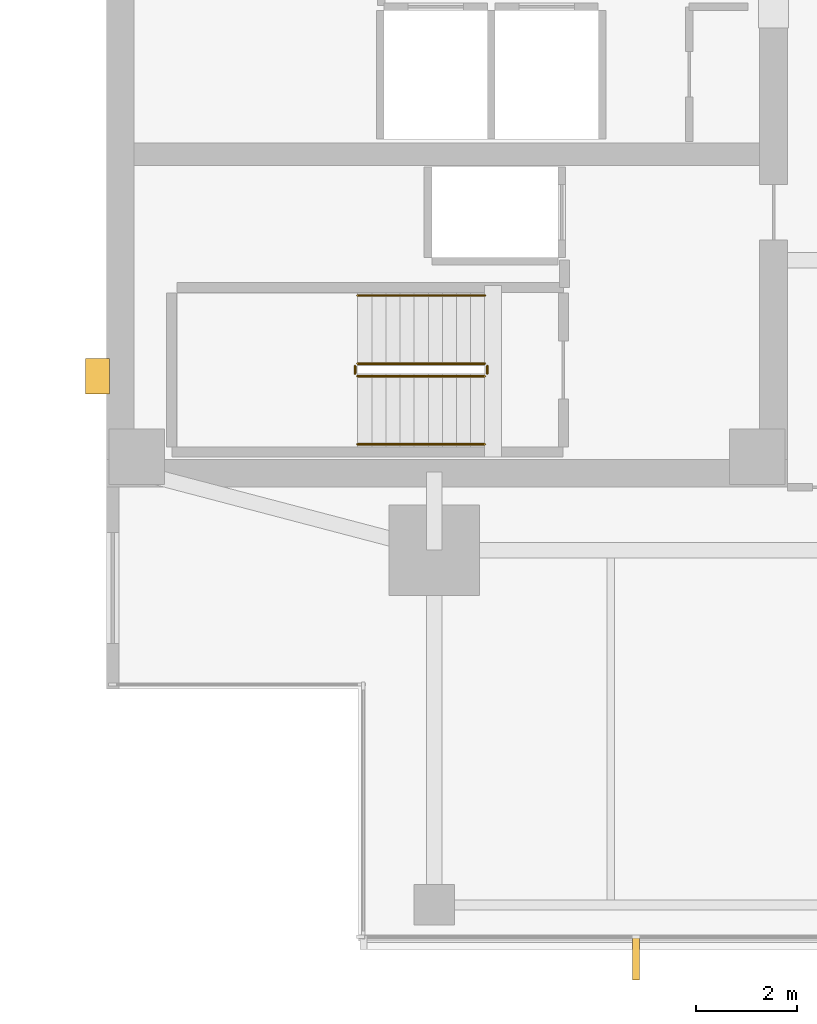
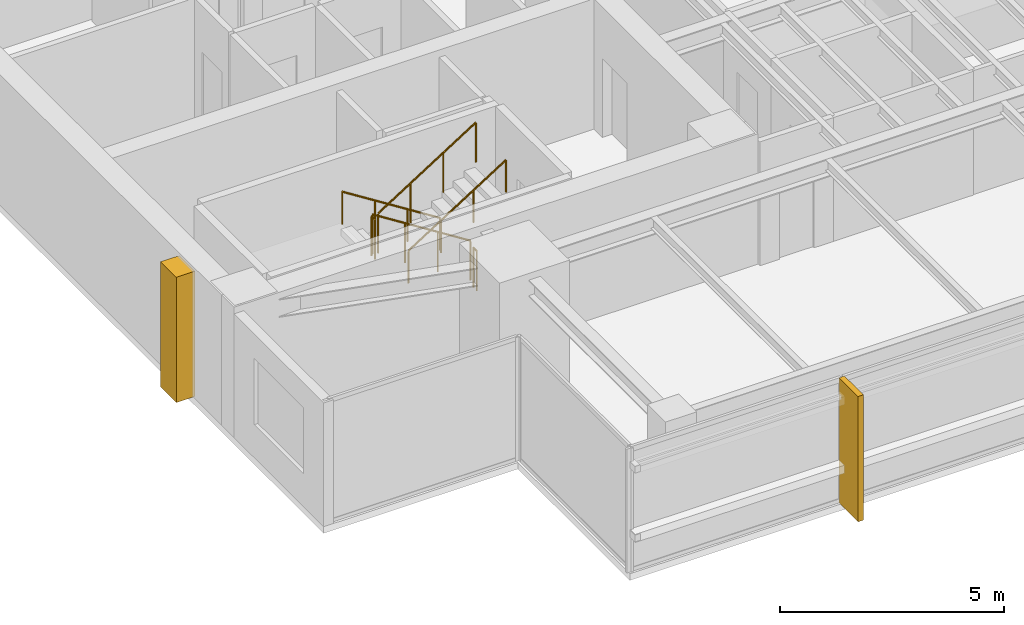
# One storey, part 11 of 14: 6 railings, 2 coverings.
"""IFC4 building model written with IfcOpenShell, lengths in metres."""

from ifc_helpers import new_model, si_unit, direction, frame, origin, origin_2d, place, context, subcontext, project, spatial, polyline, circle, outline, extrude, material, layer, layer_set, type_object, element, save


model = new_model("IFC4")

# Units and contexts
model_context = context("Model", 3, precision=1e-05, world=origin(), true_north=direction((0.0, 1.0)))
body_context = subcontext(model_context, "Body", "Model", "MODEL_VIEW")
ifc_project = project(units=[si_unit("LENGTHUNIT", "METRE"), si_unit("AREAUNIT", "SQUARE_METRE"), si_unit("VOLUMEUNIT", "CUBIC_METRE"), si_unit("PLANEANGLEUNIT", "RADIAN"), si_unit("MASSUNIT", "GRAM", prefix="KILO")], contexts=[model_context])

# Site, building, storey
site_placement = place(None, origin())
site = spatial("IfcSite", under=ifc_project, at=site_placement, CompositionType="ELEMENT")
building_placement = place(site_placement, origin())
building = spatial("IfcBuilding", under=site, at=building_placement, Name="Kinhvarn Gate Tower", CompositionType="ELEMENT")
storey_placement = place(building_placement, frame((0.0, 0.0, 209.35009765625)))
storey = spatial("IfcBuildingStorey", under=building, at=storey_placement, Name="L55", CompositionType="ELEMENT", Elevation=209.35009765625)

# Coverings
ifc_material_1 = material(Name="Fired architectural terracotta", Category="masonry")
ifc_layer_1 = layer(ifc_material_1, 0.139892578125)
ifc_layer_set_1 = layer_set([ifc_layer_1], Name="Fired architectural terracotta")
covering_type_1 = type_object("IfcCoveringType", Name="COV-FIN-850", PredefinedType="CLADDING", material=ifc_layer_set_1)
covering_1_placement = place(storey_placement, frame((0.0, 0.0, -0.02001953125)))
element("IfcCovering", 1, at=covering_1_placement, inside=storey, type_object=covering_type_1, Name="Vertical Terracotta Expressive Fin TFN-850 (L55)", PredefinedType="CLADDING", context=body_context, shape_type="SweptSolid", body=[
    extrude(outline(polyline([(14.929931640625, 5.080078125), (15.070068359375, 5.080078125), (15.070068359375, 4.22998046875), (14.929931640625, 4.22998046875), (14.929931640625, 5.080078125)])), origin(), (0.0, 0.0, 1.0), 3.409912109375),
])
ifc_material_2 = material(Name="Precast white architectural concrete C40/50", Category="concrete")
ifc_layer_2 = layer(ifc_material_2, 0.47998046875)
ifc_layer_set_2 = layer_set([ifc_layer_2], Name="Precast white architectural concrete C40/50")
covering_type_2 = type_object("IfcCoveringType", Name="COV-RIB-450", PredefinedType="CLADDING", material=ifc_layer_set_2)
covering_2_placement = place(storey_placement, frame((0.0, 0.0, -0.02001953125)))
element("IfcCovering", 2, at=covering_2_placement, inside=storey, type_object=covering_type_2, Name="West Core Sculptural Concrete Relief Rib CRB-450 (L55)", PredefinedType="CLADDING", context=body_context, shape_type="SweptSolid", body=[
    extrude(outline(polyline([(4.080078125, 15.85009765625), (4.56005859375, 15.85009765625), (4.56005859375, 16.550048828125), (4.080078125, 16.550048828125), (4.080078125, 15.85009765625)])), origin(), (0.0, 0.0, 1.0), 3.409912109375),
])

# Railings
ifc_material_3 = material(Name="Steel S355", Category="steel")
railing_type_1 = type_object("IfcRailingType", Name="RL-ST-GRD", PredefinedType="BALUSTRADE", material=ifc_material_3)
railing_1_placement = place(storey_placement, frame((12.0, 16.449951171875, 0.177490234375)))
element("IfcRailing", 3, at=railing_1_placement, inside=storey, type_object=railing_type_1, Name="L55 ST1 stair guard 1", PredefinedType="BALUSTRADE", context=body_context, shape_type="SweptSolid", body=[
    extrude(circle(Radius=0.02392578125, at=origin_2d()), frame((0.0, 0.0, 1.076171875), z_axis=(-0.84460694969, 0.0, 0.535386869969), x_axis=(0.0, -1.0, 0.0)), (0.0, 0.0, 1.0), 2.983642578125),
    extrude(circle(Radius=0.02099609375, at=origin_2d()), origin(), (0.0, 0.0, 1.0), 1.052001953125),
    extrude(circle(Radius=0.02099609375, at=origin_2d()), frame((-0.840087890625, 0.0, 0.532470703125)), (0.0, 0.0, 1.0), 1.052001953125),
    extrude(circle(Radius=0.02099609375, at=origin_2d()), frame((-1.679931640625, 0.0, 1.06494140625)), (0.0, 0.0, 1.0), 1.052001953125),
    extrude(circle(Radius=0.02099609375, at=origin_2d()), frame((-2.52001953125, 0.0, 1.597412109375)), (0.0, 0.0, 1.0), 1.052001953125),
])
railing_2_placement = place(storey_placement, frame((9.429931640625, 16.39990234375, 1.77490234375)))
element("IfcRailing", 4, at=railing_2_placement, inside=storey, type_object=railing_type_1, Name="L55 ST1 stair guard 2", PredefinedType="BALUSTRADE", context=body_context, shape_type="SweptSolid", body=[
    extrude(circle(Radius=0.02392578125, at=origin_2d()), frame((0.0, 0.0, 1.076171875), z_axis=(0.0, -1.0, 0.0), x_axis=(1.0, 0.0, 0.0)), (0.0, 0.0, 1.0), 0.14990234375),
    extrude(circle(Radius=0.02099609375, at=origin_2d()), origin(), (0.0, 0.0, 1.0), 1.052001953125),
    extrude(circle(Radius=0.02099609375, at=origin_2d()), frame((0.0, -0.14990234375, 0.0)), (0.0, 0.0, 1.0), 1.052001953125),
])
railing_3_placement = place(storey_placement, frame((9.47998046875, 16.199951171875, 1.952392578125)))
element("IfcRailing", 5, at=railing_3_placement, inside=storey, type_object=railing_type_1, Name="L55 ST1 stair guard 3", PredefinedType="BALUSTRADE", context=body_context, shape_type="SweptSolid", body=[
    extrude(circle(Radius=0.02392578125, at=origin_2d()), frame((0.0, 0.0, 1.076171875), z_axis=(0.84460694969, 0.0, 0.535386869969), x_axis=(0.0, 1.0, 0.0)), (0.0, 0.0, 1.0), 2.983642578125),
    extrude(circle(Radius=0.02099609375, at=origin_2d()), origin(), (0.0, 0.0, 1.0), 1.052001953125),
    extrude(circle(Radius=0.02099609375, at=origin_2d()), frame((0.840087890625, 0.0, 0.532470703125)), (0.0, 0.0, 1.0), 1.052001953125),
    extrude(circle(Radius=0.02099609375, at=origin_2d()), frame((1.679931640625, 0.0, 1.06494140625)), (0.0, 0.0, 1.0), 1.052001953125),
    extrude(circle(Radius=0.02099609375, at=origin_2d()), frame((2.52001953125, 0.0, 1.597412109375)), (0.0, 0.0, 1.0), 1.052001953125),
])
railing_4_placement = place(storey_placement, frame((12.050048828125, 16.39990234375, 0.0)))
element("IfcRailing", 6, at=railing_4_placement, inside=storey, type_object=railing_type_1, Name="L55 ST1 stair guard 4", PredefinedType="BALUSTRADE", context=body_context, shape_type="SweptSolid", body=[
    extrude(circle(Radius=0.02392578125, at=origin_2d()), frame((0.0, 0.0, 1.076171875), z_axis=(0.0, -1.0, 0.0), x_axis=(1.0, 0.0, 0.0)), (0.0, 0.0, 1.0), 0.14990234375),
    extrude(circle(Radius=0.02099609375, at=origin_2d()), origin(), (0.0, 0.0, 1.0), 1.052001953125),
    extrude(circle(Radius=0.02099609375, at=origin_2d()), frame((0.0, -0.14990234375, 0.0)), (0.0, 0.0, 1.0), 1.052001953125),
])
railing_type_2 = type_object("IfcRailingType", Name="RL-ST-HND", PredefinedType="HANDRAIL", material=ifc_material_3)
railing_5_placement = place(storey_placement, frame((12.0, 17.800048828125, 0.177490234375)))
element("IfcRailing", 7, at=railing_5_placement, inside=storey, type_object=railing_type_2, Name="L55 ST1 stair handrail 1", PredefinedType="HANDRAIL", context=body_context, shape_type="SweptSolid", body=[
    extrude(circle(Radius=0.02392578125, at=origin_2d()), frame((0.0, 0.0, 0.8759765625), z_axis=(-0.84460694969, 0.0, 0.535386869969), x_axis=(0.0, -1.0, 0.0)), (0.0, 0.0, 1.0), 2.983642578125),
    extrude(circle(Radius=0.02099609375, at=origin_2d()), origin(), (0.0, 0.0, 1.0), 0.851806640625),
    extrude(circle(Radius=0.02099609375, at=origin_2d()), frame((-0.840087890625, 0.0, 0.532470703125)), (0.0, 0.0, 1.0), 0.851806640625),
    extrude(circle(Radius=0.02099609375, at=origin_2d()), frame((-1.679931640625, 0.0, 1.06494140625)), (0.0, 0.0, 1.0), 0.851806640625),
    extrude(circle(Radius=0.02099609375, at=origin_2d()), frame((-2.52001953125, 0.0, 1.597412109375)), (0.0, 0.0, 1.0), 0.851806640625),
])
railing_6_placement = place(storey_placement, frame((9.47998046875, 14.85009765625, 1.952392578125)))
element("IfcRailing", 8, at=railing_6_placement, inside=storey, type_object=railing_type_2, Name="L55 ST1 stair handrail 2", PredefinedType="HANDRAIL", context=body_context, shape_type="SweptSolid", body=[
    extrude(circle(Radius=0.02392578125, at=origin_2d()), frame((0.0, 0.0, 0.8759765625), z_axis=(0.84460694969, 0.0, 0.535386869969), x_axis=(0.0, 1.0, 0.0)), (0.0, 0.0, 1.0), 2.983642578125),
    extrude(circle(Radius=0.02099609375, at=origin_2d()), origin(), (0.0, 0.0, 1.0), 0.851806640625),
    extrude(circle(Radius=0.02099609375, at=origin_2d()), frame((0.840087890625, 0.0, 0.532470703125)), (0.0, 0.0, 1.0), 0.851806640625),
    extrude(circle(Radius=0.02099609375, at=origin_2d()), frame((1.679931640625, 0.0, 1.06494140625)), (0.0, 0.0, 1.0), 0.851806640625),
    extrude(circle(Radius=0.02099609375, at=origin_2d()), frame((2.52001953125, 0.0, 1.597412109375)), (0.0, 0.0, 1.0), 0.851806640625),
])

save(model, "model.ifc")
